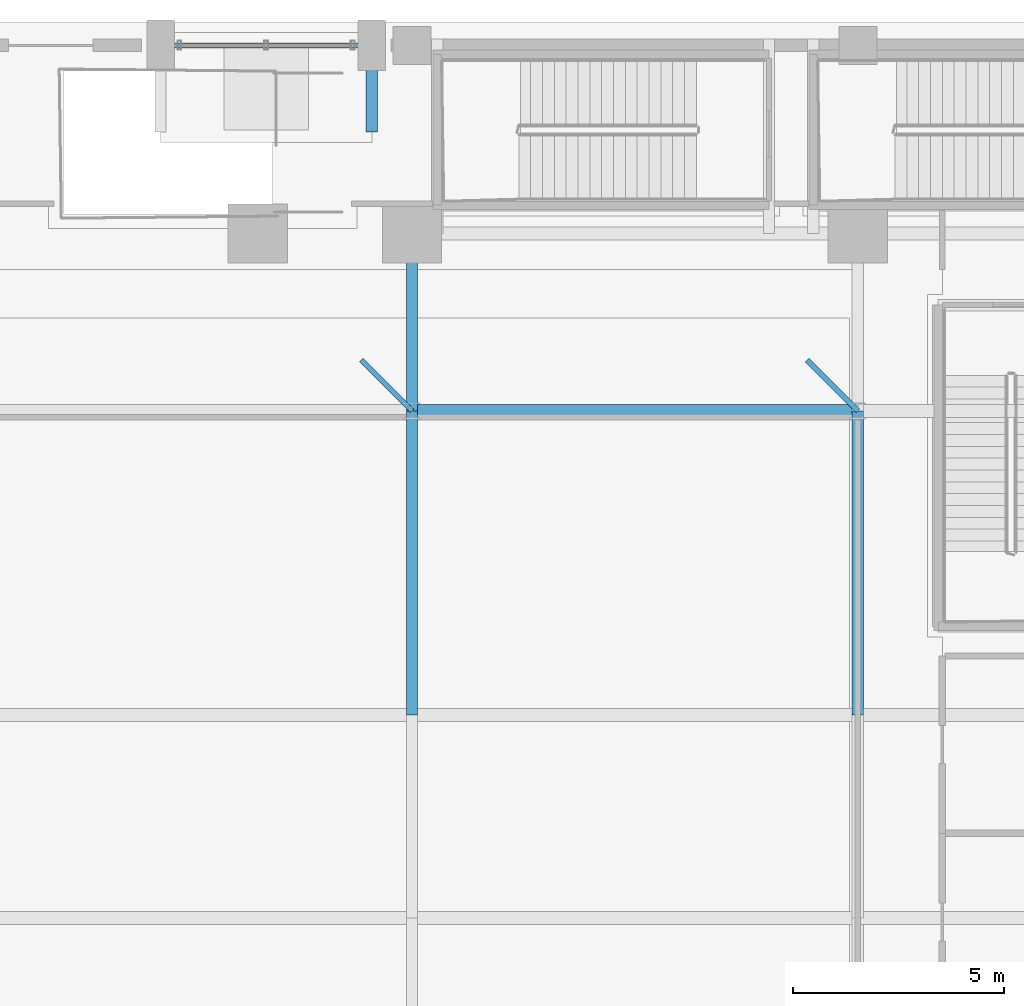
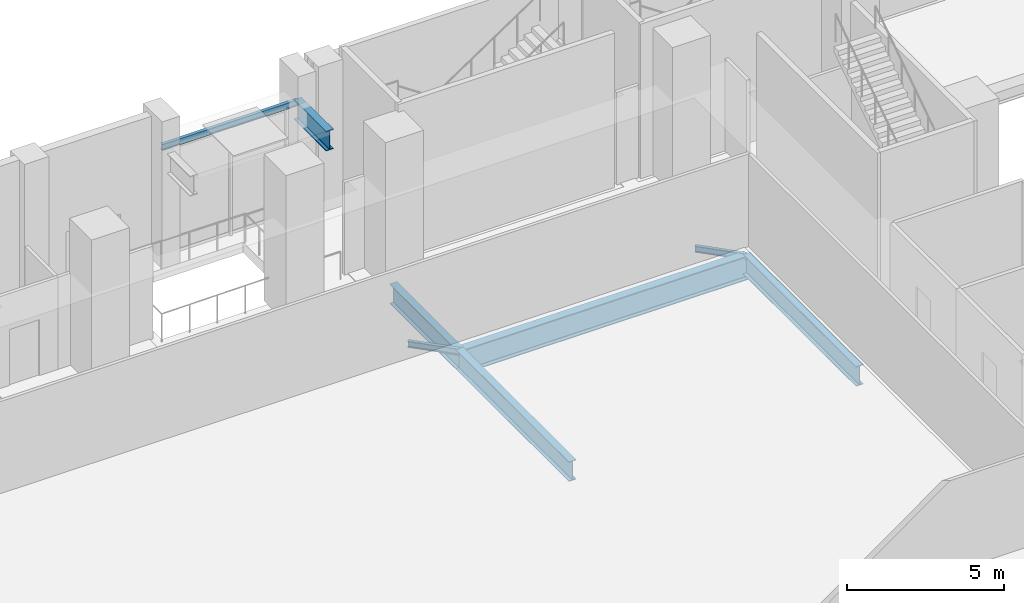
# One storey, part 14 of 36: 8 beams.
"""IFC4 building model written with IfcOpenShell, lengths in metres."""

from ifc_helpers import new_model, si_unit, direction, frame, origin, origin_2d, place, context, subcontext, project, spatial, i_section, extrude, material, material_profile, profile_set, type_object, element, save


model = new_model("IFC4")

# Units and contexts
model_context = context("Model", 3, precision=1e-05, world=origin(), true_north=direction((0.0, 1.0)))
body_context = subcontext(model_context, "Body", "Model", "MODEL_VIEW")
ifc_project = project(units=[si_unit("LENGTHUNIT", "METRE"), si_unit("AREAUNIT", "SQUARE_METRE"), si_unit("VOLUMEUNIT", "CUBIC_METRE"), si_unit("PLANEANGLEUNIT", "RADIAN"), si_unit("MASSUNIT", "GRAM", prefix="KILO")], contexts=[model_context])

# Site, building, storey
site_placement = place(None, origin())
site = spatial("IfcSite", under=ifc_project, at=site_placement, CompositionType="ELEMENT")
building_placement = place(site_placement, origin())
building = spatial("IfcBuilding", under=site, at=building_placement, Name="Ndaravel Arena Tower", CompositionType="ELEMENT")
storey_placement = place(building_placement, origin())
storey = spatial("IfcBuildingStorey", under=building, at=storey_placement, Name="L00", CompositionType="ELEMENT", Elevation=0.0)

# Beams
ifc_material_1 = material(Name="Steel S355", Category="steel")
ifc_material_profile_1 = material_profile(ifc_material_1, i_section(OverallWidth=0.1201171875, OverallDepth=0.239990234375, WebThickness=0.006103515625, FlangeThickness=0.009765625, FilletRadius=0.014892578125, at=origin_2d()), Name="IPE 240")
ifc_profile_set_1 = profile_set([ifc_material_profile_1], Name="Steel S355")
beam_type_1 = type_object("IfcBeamType", Name="BM-LINTEL-IPE240", PredefinedType="LINTEL", material=ifc_profile_set_1)
beam_1_placement = place(storey_placement, frame((47.5, 47.449951171875, 4.260009765625), z_axis=(1.0, 0.0, 0.0), x_axis=(0.0, 1.0, 0.0)))
element("IfcBeam", 1, at=beam_1_placement, inside=storey, type_object=beam_type_1, Name="Portal Lintel Beam LN-06", PredefinedType="LINTEL", context=body_context, shape_type="SweptSolid", body=[
    extrude(i_section(OverallWidth=0.1201171875, OverallDepth=0.239990234375, WebThickness=0.006103515625, FlangeThickness=0.009765625, FilletRadius=0.014892578125, at=origin_2d()), origin(), (0.0, 0.0, 1.0), 5.0),
])
for number, where, z_axis, x_axis, name in (
    (2, (53.449951171875, 38.800048828125, -0.52001953125), (-0.707106781187, 0.707106781187, 0.0), (-0.707106781187, -0.707106781187, 0.0), "L00 North Stand Cradle Arm 3"),
    (3, (64.0, 38.800048828125, -0.52001953125), (-0.707106781187, 0.707106781187, 0.0), (-0.707106781187, -0.707106781187, 0.0), "L00 North Stand Cradle Arm 4"),
):
    element("IfcBeam", number, at=place(storey_placement, frame(where, z_axis=z_axis, x_axis=x_axis)), inside=storey, type_object=beam_type_1, Name=name, PredefinedType="LINTEL", context=body_context, shape_type="SweptSolid", body=[
        extrude(i_section(OverallWidth=0.1201171875, OverallDepth=0.239990234375, WebThickness=0.006103515625, FlangeThickness=0.009765625, FilletRadius=0.014892578125, at=origin_2d()), origin(), (0.0, 0.0, 1.0), 1.697021484375),
    ])
ifc_material_2 = material(Name="Steel S355", Category="steel")
ifc_material_profile_2 = material_profile(ifc_material_2, i_section(OverallWidth=0.26806640625, OverallDepth=0.769775390625, WebThickness=0.015625, FlangeThickness=0.025390625, FilletRadius=0.0166015625, at=origin_2d()), Name="UB 762x267x197")
ifc_profile_set_2 = profile_set([ifc_material_profile_2], Name="Steel S355")
beam_type_2 = type_object("IfcBeamType", Name="BM-POD-UB762", PredefinedType="BEAM", material=ifc_profile_set_2)
beam_2_placement = place(storey_placement, frame((52.5, 47.449951171875, 4.01513671875), z_axis=(0.0, -1.0, 0.0), x_axis=(1.0, 0.0, 0.0)))
element("IfcBeam", 4, at=beam_2_placement, inside=storey, type_object=beam_type_2, Name="L00 Entrance Canopy Cantilever Arm 06-2", PredefinedType="BEAM", context=body_context, shape_type="SweptSolid", body=[
    extrude(i_section(OverallWidth=0.26806640625, OverallDepth=0.769775390625, WebThickness=0.015625, FlangeThickness=0.025390625, FilletRadius=0.0166015625, at=origin_2d()), origin(), (0.0, 0.0, 1.0), 2.050048828125),
])
beam_3_placement = place(storey_placement, frame((53.449951171875, 31.60009765625, -0.784912109375), z_axis=(0.0, 1.0, 0.0), x_axis=(-1.0, 0.0, 0.0)))
element("IfcBeam", 5, at=beam_3_placement, inside=storey, type_object=beam_type_2, Name="L00 Sub-Court Tie 4.31", PredefinedType="BEAM", context=body_context, shape_type="SweptSolid", body=[
    extrude(i_section(OverallWidth=0.26806640625, OverallDepth=0.769775390625, WebThickness=0.015625, FlangeThickness=0.025390625, FilletRadius=0.0166015625, at=origin_2d()), origin(), (0.0, 0.0, 1.0), 7.199951171875),
])
beam_4_placement = place(storey_placement, frame((53.449951171875, 38.800048828125, -0.784912109375), z_axis=(0.0, 1.0, 0.0), x_axis=(-1.0, 0.0, 0.0)))
element("IfcBeam", 6, at=beam_4_placement, inside=storey, type_object=beam_type_2, Name="L00 Sub-Court Tie 4.38", PredefinedType="BEAM", context=body_context, shape_type="SweptSolid", body=[
    extrude(i_section(OverallWidth=0.26806640625, OverallDepth=0.769775390625, WebThickness=0.015625, FlangeThickness=0.025390625, FilletRadius=0.0166015625, at=origin_2d()), origin(), (0.0, 0.0, 1.0), 4.199951171875),
])
beam_5_placement = place(storey_placement, frame((64.0, 31.60009765625, -0.784912109375), z_axis=(0.0, 1.0, 0.0), x_axis=(-1.0, 0.0, 0.0)))
element("IfcBeam", 7, at=beam_5_placement, inside=storey, type_object=beam_type_2, Name="L00 Sub-Court Tie 5.31", PredefinedType="BEAM", context=body_context, shape_type="SweptSolid", body=[
    extrude(i_section(OverallWidth=0.26806640625, OverallDepth=0.769775390625, WebThickness=0.015625, FlangeThickness=0.025390625, FilletRadius=0.0166015625, at=origin_2d()), origin(), (0.0, 0.0, 1.0), 7.199951171875),
])
ifc_material_3 = material(Name="Steel S355", Category="steel")
ifc_material_profile_3 = material_profile(ifc_material_3, i_section(OverallWidth=0.3076171875, OverallDepth=0.926513671875, WebThickness=0.01953125, FlangeThickness=0.031982421875, FilletRadius=0.01904296875, at=origin_2d()), Name="UB 914x305x289")
ifc_profile_set_3 = profile_set([ifc_material_profile_3], Name="Steel S355")
beam_type_3 = type_object("IfcBeamType", Name="BM-POD-UB914B", PredefinedType="BEAM", material=ifc_profile_set_3)
beam_6_placement = place(storey_placement, frame((53.449951171875, 38.800048828125, -0.86328125), z_axis=(1.0, 0.0, 0.0), x_axis=(0.0, 1.0, 0.0)))
element("IfcBeam", 8, at=beam_6_placement, inside=storey, type_object=beam_type_3, Name="L00 Sub-Court Girder 4.5", PredefinedType="BEAM", context=body_context, shape_type="SweptSolid", body=[
    extrude(i_section(OverallWidth=0.3076171875, OverallDepth=0.926513671875, WebThickness=0.01953125, FlangeThickness=0.031982421875, FilletRadius=0.01904296875, at=origin_2d()), origin(), (0.0, 0.0, 1.0), 10.550048828125),
])

save(model, "model.ifc")
